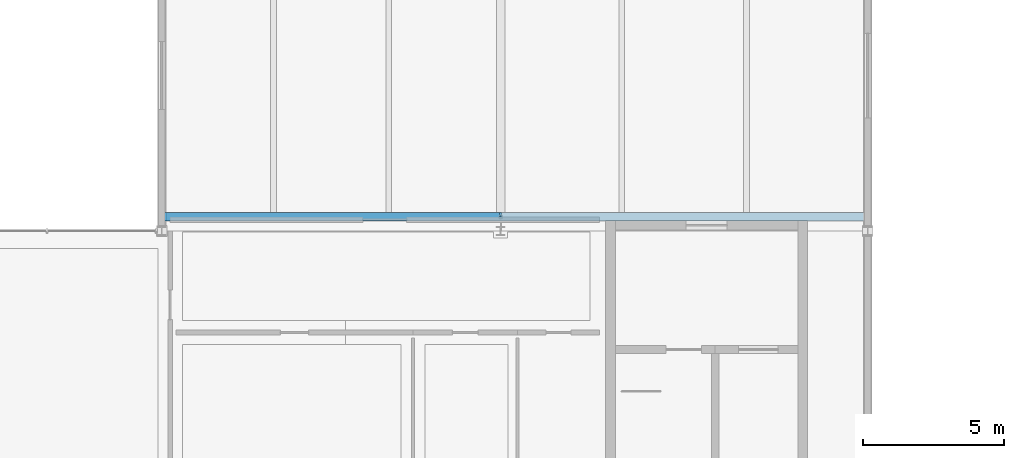
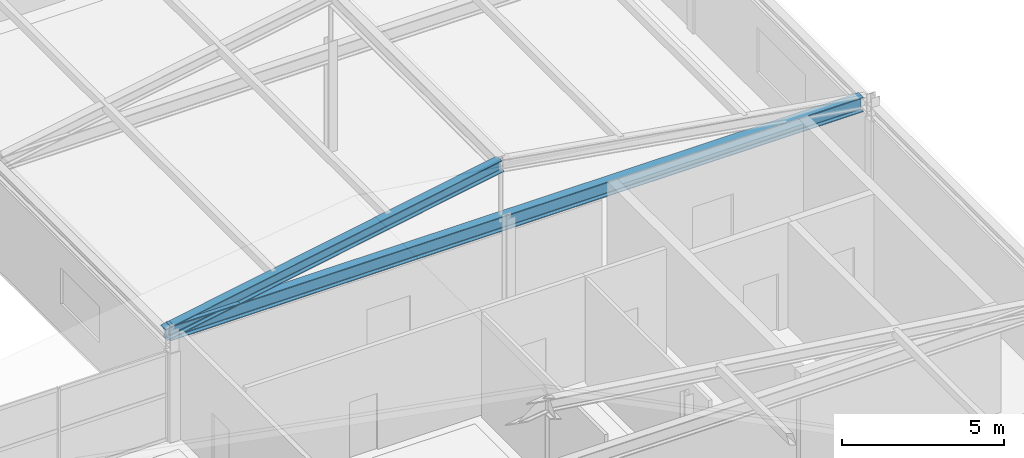
# One storey, part 20 of 63: 1 beam, 1 member.
"""IFC4 building model written with IfcOpenShell, lengths in metres."""

from ifc_helpers import new_model, si_unit, direction, frame, origin, origin_2d, place, context, subcontext, project, spatial, i_section, extrude, material, material_profile, profile_set, type_object, element, save


model = new_model("IFC4")

# Units and contexts
model_context = context("Model", 3, precision=1e-05, world=origin(), true_north=direction((0.0, 1.0)))
body_context = subcontext(model_context, "Body", "Model", "MODEL_VIEW")
ifc_project = project(units=[si_unit("LENGTHUNIT", "METRE"), si_unit("AREAUNIT", "SQUARE_METRE"), si_unit("VOLUMEUNIT", "CUBIC_METRE"), si_unit("PLANEANGLEUNIT", "RADIAN"), si_unit("MASSUNIT", "GRAM", prefix="KILO")], contexts=[model_context])

# Site, building, storey
site_placement = place(None, origin())
site = spatial("IfcSite", under=ifc_project, at=site_placement, CompositionType="ELEMENT")
building_placement = place(site_placement, origin())
building = spatial("IfcBuilding", under=site, at=building_placement, Name="Tarnveldt Headland Concert Hall", CompositionType="ELEMENT")
storey_placement = place(building_placement, frame((0.0, 0.0, 14.39990234375)))
storey = spatial("IfcBuildingStorey", under=building, at=storey_placement, Name="L03", CompositionType="ELEMENT", Elevation=14.39990234375)

# Member
ifc_material = material(Name="Steel S355", Category="steel")
ifc_material_profile_1 = material_profile(ifc_material, i_section(OverallWidth=0.300048828125, OverallDepth=0.449951171875, WebThickness=0.013916015625, FlangeThickness=0.02587890625, FilletRadius=0.027099609375, at=origin_2d()), Name="HEB450", Category="steel")
ifc_profile_set_1 = profile_set([ifc_material_profile_1], Name="Steel S355")
member_type = type_object("IfcMemberType", Name="RF-HEB450", PredefinedType="RAFTER", material=ifc_profile_set_1)
member_placement = place(storey_placement, frame((19.5, 93.5, 3.68017578125), z_axis=(0.983897122422, 0.0, 0.178735705691), x_axis=(0.0, 1.0, 0.0)))
element("IfcMember", 1, at=member_placement, inside=storey, type_object=member_type, Name="ROOF TRUSS Rehearsal rafter N-1W", PredefinedType="RAFTER", context=body_context, shape_type="SweptSolid", body=[
    extrude(i_section(OverallWidth=0.300048828125, OverallDepth=0.449951171875, WebThickness=0.013916015625, FlangeThickness=0.02587890625, FilletRadius=0.027099609375, at=origin_2d()), origin(), (0.0, 0.0, 1.0), 12.1962890625),
])

# Beam
ifc_material_profile_2 = material_profile(ifc_material, i_section(OverallWidth=0.300048828125, OverallDepth=0.550048828125, WebThickness=0.014892578125, FlangeThickness=0.029052734375, FilletRadius=0.027099609375, at=origin_2d()), Name="HEB550", Category="steel")
ifc_profile_set_2 = profile_set([ifc_material_profile_2], Name="Steel S355")
beam_type = type_object("IfcBeamType", Name="SB-HEB550", PredefinedType="BEAM", material=ifc_profile_set_2)
beam_placement = place(storey_placement, frame((19.64990234375, 93.5, 3.68017578125), z_axis=(1.0, 0.0, 0.0), x_axis=(0.0, 1.0, 0.0)))
element("IfcBeam", 2, at=beam_placement, inside=storey, type_object=beam_type, Name="ROOF TRUSS bottom tie girder N-1", PredefinedType="BEAM", context=body_context, shape_type="SweptSolid", body=[
    extrude(i_section(OverallWidth=0.300048828125, OverallDepth=0.550048828125, WebThickness=0.014892578125, FlangeThickness=0.029052734375, FilletRadius=0.027099609375, at=origin_2d()), origin(), (0.0, 0.0, 1.0), 24.7001953125),
])

save(model, "model.ifc")
